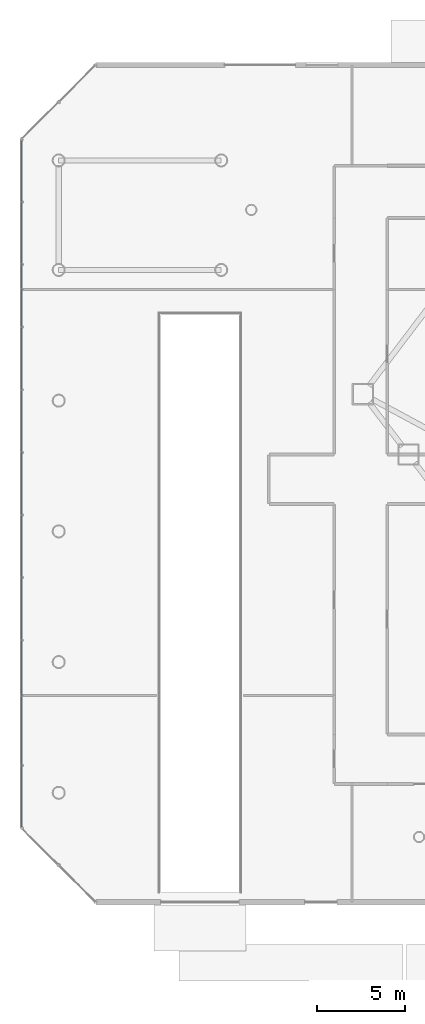
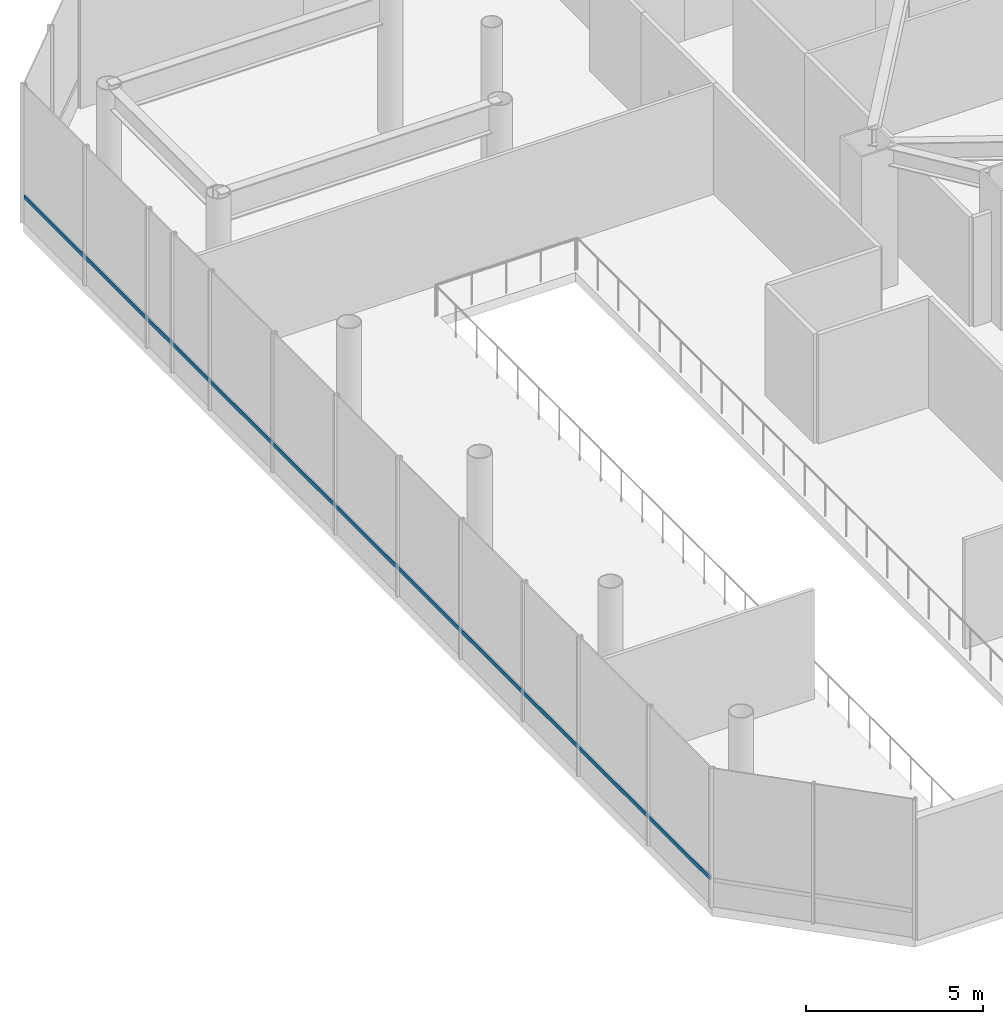
# One storey, part 7 of 31: 1 member, 1 element without a shape of its own.
"""IFC4 building model written with IfcOpenShell, lengths in metres."""

from ifc_helpers import new_model, si_unit, direction, frame, origin, origin_2d, place, context, subcontext, project, spatial, hollow_rectangle, extrude, material, layer, layer_set, material_profile, profile_set, type_object, element, aggregate, save


model = new_model("IFC4")

# Units and contexts
model_context = context("Model", 3, precision=1e-05, world=origin(), true_north=direction((0.0, 1.0)))
body_context = subcontext(model_context, "Body", "Model", "MODEL_VIEW")
ifc_project = project(units=[si_unit("LENGTHUNIT", "METRE"), si_unit("AREAUNIT", "SQUARE_METRE"), si_unit("VOLUMEUNIT", "CUBIC_METRE"), si_unit("PLANEANGLEUNIT", "RADIAN"), si_unit("MASSUNIT", "GRAM", prefix="KILO")], contexts=[model_context])

# Site, building, storey
site_placement = place(None, origin())
site = spatial("IfcSite", under=ifc_project, at=site_placement, CompositionType="ELEMENT")
building_placement = place(site_placement, origin())
building = spatial("IfcBuilding", under=site, at=building_placement, Name="Zarrinselat Tower", CompositionType="ELEMENT")
storey_placement = place(building_placement, origin())
storey = spatial("IfcBuildingStorey", under=building, at=storey_placement, Name="L00", CompositionType="ELEMENT", Elevation=0.0)

# Curtain wall, member
ifc_material_1 = material(Name="Extruded Aluminium Alloy EN AW-6063 T6", Category="aluminium")
ifc_layer = layer(ifc_material_1, 0.2099609375)
ifc_layer_set = layer_set([ifc_layer], Name="Extruded Aluminium Alloy EN AW-6063 T6")
curtain_wall_type = type_object("IfcCurtainWallType", Name="CWS-POD", PredefinedType="NOTDEFINED", material=ifc_layer_set)
curtain_wall_placement = place(storey_placement, origin())
curtain_wall = element("IfcCurtainWall", 1, at=curtain_wall_placement, inside=storey, type_object=curtain_wall_type, Name="L00 Unitised Curtain Wall CW-L00-E7", PredefinedType="NOTDEFINED")
ifc_material_2 = material(Name="Extruded Aluminium Alloy EN AW-6063 T6", Category="aluminium")
ifc_material_profile = material_profile(ifc_material_2, hollow_rectangle(XDim=0.06005859375, YDim=0.139892578125, WallThickness=0.00390625, at=origin_2d()), Name="RHS 140x60x4")
ifc_profile_set = profile_set([ifc_material_profile], Name="Extruded Aluminium Alloy EN AW-6063 T6")
member_type = type_object("IfcMemberType", Name="MEM-CW-TRN", PredefinedType="USERDEFINED", material=ifc_profile_set)
member_placement = place(storey_placement, frame((-2.5, 47.909912109375, 0.949951171875), z_axis=(0.0, -1.0, 0.0), x_axis=(1.0, 0.0, 0.0)))
member = element("IfcMember", 2, at=member_placement, type_object=member_type, Name="CW-L00-E7 Transom 1", ObjectType="TRANSOM", PredefinedType="USERDEFINED", context=body_context, shape_type="SweptSolid", body=[
    extrude(hollow_rectangle(XDim=0.06005859375, YDim=0.139892578125, WallThickness=0.00390625, at=origin_2d()), origin(), (0.0, 0.0, 1.0), 38.81982421875),
])
aggregate(curtain_wall, [member])

save(model, "model.ifc")
